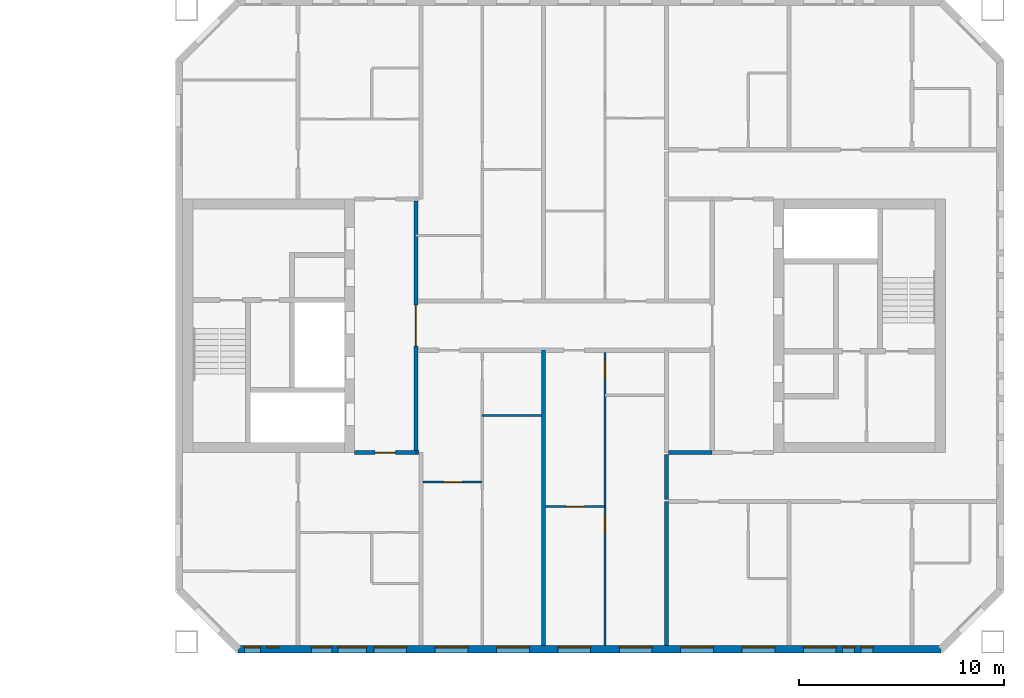
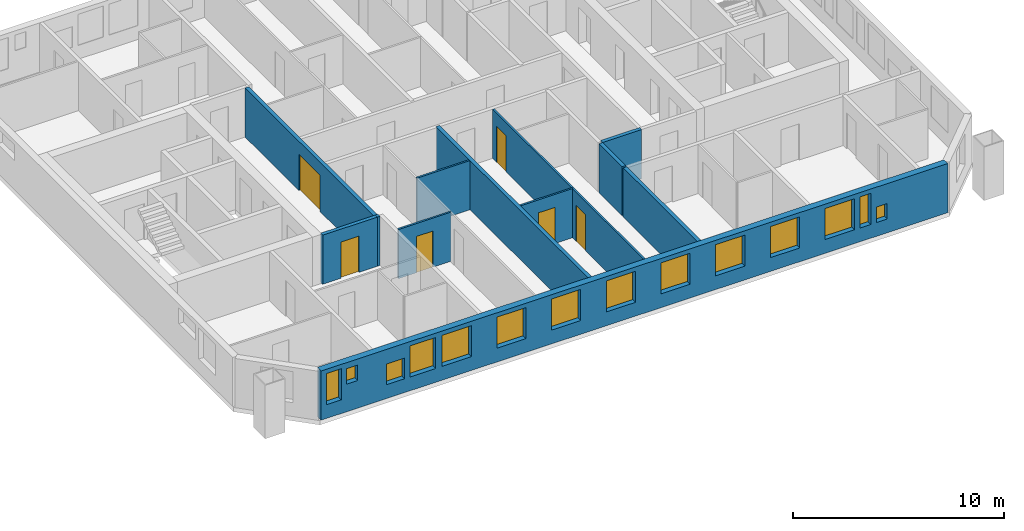
# One storey, part 10 of 16: 14 windows, 12 walls, 6 doors, 20 openings.
"""IFC4 building model written with IfcOpenShell, lengths in metres."""

from ifc_helpers import new_model, si_unit, direction, frame, frame_2d, origin, place, context, subcontext, project, spatial, rectangle, extrude, material, layer, layer_set, type_object, element, fill, save


model = new_model("IFC4")

# Units and contexts
model_context = context("Model", 3, precision=1e-05, world=origin(), true_north=direction((0.0, 1.0)))
body_context = subcontext(model_context, "Body", "Model", "MODEL_VIEW")
ifc_project = project(units=[si_unit("LENGTHUNIT", "METRE"), si_unit("AREAUNIT", "SQUARE_METRE"), si_unit("VOLUMEUNIT", "CUBIC_METRE"), si_unit("PLANEANGLEUNIT", "RADIAN"), si_unit("MASSUNIT", "GRAM", prefix="KILO")], contexts=[model_context])

# Site, building, storey
site_placement = place(None, origin())
site = spatial("IfcSite", under=ifc_project, at=site_placement, CompositionType="ELEMENT")
building_placement = place(site_placement, origin())
building = spatial("IfcBuilding", under=site, at=building_placement, Name="Tuart Gate Housing", CompositionType="ELEMENT")
storey_placement = place(building_placement, frame((0.0, 0.0, 151.60009765625)))
storey = spatial("IfcBuildingStorey", under=building, at=storey_placement, Name="L42", CompositionType="ELEMENT", Elevation=151.60009765625)

# Wall, openings, windows
ifc_material_1 = material(Name="Brick", Category="masonry")
ifc_layer_1 = layer(ifc_material_1, 0.360107421875)
ifc_layer_set_1 = layer_set([ifc_layer_1], Name="Brick pier and spandrel wall 360")
wall_type_1 = type_object("IfcWallType", Name="Brick pier and spandrel wall 360", PredefinedType="STANDARD", material=ifc_layer_set_1)
wall_1_placement = place(storey_placement, frame((134.07470703125, 54.179931640625, 0.0), z_axis=(0.0, 0.0, 1.0), x_axis=(1.0, 0.0, 0.0)))
wall_1 = element("IfcWall", 1, at=wall_1_placement, inside=storey, type_object=wall_type_1, Name="External wall B-S L42", PredefinedType="STANDARD", context=body_context, shape_type="SweptSolid", body=[
    extrude(rectangle(XDim=34.350830078125, YDim=0.360107421875, at=frame_2d((17.17529296875, 0.0))), origin(), (0.0, 0.0, 1.0), 2.849853515625),
])
opening_1_placement = place(wall_1_placement, frame((0.300048828125, 0.0, 0.800048828125)))
opening_1 = element("IfcOpeningElement", 2, at=opening_1_placement, cuts=wall_1, Name="Opening W1D", PredefinedType="OPENING", context=body_context, shape_type="SweptSolid", body=[
    extrude(rectangle(XDim=0.800048828125, YDim=1.800048828125, at=frame_2d((0.39990234375, 0.89990234375))), frame((0.0, 0.18994140625, 0.0), z_axis=(0.0, -1.0, 0.0), x_axis=(1.0, 0.0, 0.0)), (0.0, 0.0, 1.0), 0.380126953125),
])
opening_2_placement = place(wall_1_placement, frame((3.575439453125, 0.0, 0.800048828125)))
opening_2 = element("IfcOpeningElement", 3, at=opening_2_placement, cuts=wall_1, Name="Opening W1O", PredefinedType="OPENING", context=body_context, shape_type="SweptSolid", body=[
    extrude(rectangle(XDim=1.0, YDim=1.199951171875, at=frame_2d((0.5, 0.60009765625))), frame((0.0, 0.18994140625, 0.0), z_axis=(0.0, -1.0, 0.0), x_axis=(1.0, 0.0, 0.0)), (0.0, 0.0, 1.0), 0.380126953125),
])
opening_3_placement = place(wall_1_placement, frame((6.62548828125, 0.0, 0.800048828125)))
opening_3 = element("IfcOpeningElement", 4, at=opening_3_placement, cuts=wall_1, Name="Opening W1", PredefinedType="OPENING", context=body_context, shape_type="SweptSolid", body=[
    extrude(rectangle(XDim=1.60009765625, YDim=1.800048828125, at=frame_2d((0.800048828125, 0.89990234375))), frame((0.0, 0.18994140625, 0.0), z_axis=(0.0, -1.0, 0.0), x_axis=(1.0, 0.0, 0.0)), (0.0, 0.0, 1.0), 0.380126953125),
])
opening_4_placement = place(wall_1_placement, frame((9.62548828125, 0.0, 0.800048828125)))
opening_4 = element("IfcOpeningElement", 5, at=opening_4_placement, cuts=wall_1, Name="Opening W1", PredefinedType="OPENING", context=body_context, shape_type="SweptSolid", body=[
    extrude(rectangle(XDim=1.60009765625, YDim=1.800048828125, at=frame_2d((0.800048828125, 0.89990234375))), frame((0.0, 0.18994140625, 0.0), z_axis=(0.0, -1.0, 0.0), x_axis=(1.0, 0.0, 0.0)), (0.0, 0.0, 1.0), 0.380126953125),
])
opening_5_placement = place(wall_1_placement, frame((12.62548828125, 0.0, 0.800048828125)))
opening_5 = element("IfcOpeningElement", 6, at=opening_5_placement, cuts=wall_1, Name="Opening W1", PredefinedType="OPENING", context=body_context, shape_type="SweptSolid", body=[
    extrude(rectangle(XDim=1.60009765625, YDim=1.800048828125, at=frame_2d((0.800048828125, 0.89990234375))), frame((0.0, 0.18994140625, 0.0), z_axis=(0.0, -1.0, 0.0), x_axis=(1.0, 0.0, 0.0)), (0.0, 0.0, 1.0), 0.380126953125),
])
opening_6_placement = place(wall_1_placement, frame((15.62548828125, 0.0, 0.800048828125)))
opening_6 = element("IfcOpeningElement", 7, at=opening_6_placement, cuts=wall_1, Name="Opening W1", PredefinedType="OPENING", context=body_context, shape_type="SweptSolid", body=[
    extrude(rectangle(XDim=1.60009765625, YDim=1.800048828125, at=frame_2d((0.800048828125, 0.89990234375))), frame((0.0, 0.18994140625, 0.0), z_axis=(0.0, -1.0, 0.0), x_axis=(1.0, 0.0, 0.0)), (0.0, 0.0, 1.0), 0.380126953125),
])
opening_7_placement = place(wall_1_placement, frame((18.62548828125, 0.0, 0.800048828125)))
opening_7 = element("IfcOpeningElement", 8, at=opening_7_placement, cuts=wall_1, Name="Opening W1", PredefinedType="OPENING", context=body_context, shape_type="SweptSolid", body=[
    extrude(rectangle(XDim=1.60009765625, YDim=1.800048828125, at=frame_2d((0.800048828125, 0.89990234375))), frame((0.0, 0.18994140625, 0.0), z_axis=(0.0, -1.0, 0.0), x_axis=(1.0, 0.0, 0.0)), (0.0, 0.0, 1.0), 0.380126953125),
])
opening_8_placement = place(wall_1_placement, frame((21.62548828125, 0.0, 0.800048828125)))
opening_8 = element("IfcOpeningElement", 9, at=opening_8_placement, cuts=wall_1, Name="Opening W1", PredefinedType="OPENING", context=body_context, shape_type="SweptSolid", body=[
    extrude(rectangle(XDim=1.60009765625, YDim=1.800048828125, at=frame_2d((0.800048828125, 0.89990234375))), frame((0.0, 0.18994140625, 0.0), z_axis=(0.0, -1.0, 0.0), x_axis=(1.0, 0.0, 0.0)), (0.0, 0.0, 1.0), 0.380126953125),
])
opening_9_placement = place(wall_1_placement, frame((24.62548828125, 0.0, 0.800048828125)))
opening_9 = element("IfcOpeningElement", 10, at=opening_9_placement, cuts=wall_1, Name="Opening W1", PredefinedType="OPENING", context=body_context, shape_type="SweptSolid", body=[
    extrude(rectangle(XDim=1.60009765625, YDim=1.800048828125, at=frame_2d((0.800048828125, 0.89990234375))), frame((0.0, 0.18994140625, 0.0), z_axis=(0.0, -1.0, 0.0), x_axis=(1.0, 0.0, 0.0)), (0.0, 0.0, 1.0), 0.380126953125),
])
opening_10_placement = place(wall_1_placement, frame((27.62548828125, 0.0, 0.800048828125)))
opening_10 = element("IfcOpeningElement", 11, at=opening_10_placement, cuts=wall_1, Name="Opening W1", PredefinedType="OPENING", context=body_context, shape_type="SweptSolid", body=[
    extrude(rectangle(XDim=1.60009765625, YDim=1.800048828125, at=frame_2d((0.800048828125, 0.89990234375))), frame((0.0, 0.18994140625, 0.0), z_axis=(0.0, -1.0, 0.0), x_axis=(1.0, 0.0, 0.0)), (0.0, 0.0, 1.0), 0.380126953125),
])
opening_11_placement = place(wall_1_placement, frame((29.525390625, 0.0, 0.800048828125)))
opening_11 = element("IfcOpeningElement", 12, at=opening_11_placement, cuts=wall_1, Name="Opening W1E", PredefinedType="OPENING", context=body_context, shape_type="SweptSolid", body=[
    extrude(rectangle(XDim=0.60009765625, YDim=1.800048828125, at=frame_2d((0.300048828125, 0.89990234375))), frame((0.0, 0.18994140625, 0.0), z_axis=(0.0, -1.0, 0.0), x_axis=(1.0, 0.0, 0.0)), (0.0, 0.0, 1.0), 0.380126953125),
])
opening_12_placement = place(wall_1_placement, frame((1.39990234375, 0.0, 1.60009765625)))
opening_12 = element("IfcOpeningElement", 13, at=opening_12_placement, cuts=wall_1, Name="Opening W1W", PredefinedType="OPENING", context=body_context, shape_type="SweptSolid", body=[
    extrude(rectangle(XDim=0.60009765625, YDim=0.89990234375, at=frame_2d((0.300048828125, 0.449951171875))), frame((0.0, 0.18994140625, 0.0), z_axis=(0.0, -1.0, 0.0), x_axis=(1.0, 0.0, 0.0)), (0.0, 0.0, 1.0), 0.380126953125),
])
opening_13_placement = place(wall_1_placement, frame((4.87548828125, 0.0, 0.800048828125)))
opening_13 = element("IfcOpeningElement", 14, at=opening_13_placement, cuts=wall_1, Name="Opening W1A", PredefinedType="OPENING", context=body_context, shape_type="SweptSolid", body=[
    extrude(rectangle(XDim=1.39990234375, YDim=1.800048828125, at=frame_2d((0.699951171875, 0.89990234375))), frame((0.0, 0.18994140625, 0.0), z_axis=(0.0, -1.0, 0.0), x_axis=(1.0, 0.0, 0.0)), (0.0, 0.0, 1.0), 0.380126953125),
])
opening_14_placement = place(wall_1_placement, frame((30.42529296875, 0.0, 0.800048828125)))
opening_14 = element("IfcOpeningElement", 15, at=opening_14_placement, cuts=wall_1, Name="Opening W1W", PredefinedType="OPENING", context=body_context, shape_type="SweptSolid", body=[
    extrude(rectangle(XDim=0.60009765625, YDim=0.89990234375, at=frame_2d((0.300048828125, 0.449951171875))), frame((0.0, 0.18994140625, 0.0), z_axis=(0.0, -1.0, 0.0), x_axis=(1.0, 0.0, 0.0)), (0.0, 0.0, 1.0), 0.380126953125),
])
ifc_material_2 = material(Name="Aluminium frame with clear glass", Category="aluminium")
window_type_1 = type_object("IfcWindowType", Name="Punched window 1000 x 1200", PartitioningType="SINGLE_PANEL", PredefinedType="WINDOW", material=ifc_material_2)
window_1_placement = place(opening_2_placement, origin())
window_1 = element("IfcWindow", 16, at=window_1_placement, inside=storey, type_object=window_type_1, Name="Window W1O", OverallHeight=1.199951171875, OverallWidth=1.0, PartitioningType="SINGLE_PANEL", PredefinedType="WINDOW", context=body_context, shape_type="SweptSolid", body=[
    extrude(rectangle(XDim=1.0, YDim=1.199951171875, at=frame_2d((0.5, 0.60009765625))), frame((0.0, 0.150146484375, 0.0), z_axis=(0.0, -1.0, 0.0), x_axis=(1.0, 0.0, 0.0)), (0.0, 0.0, 1.0), 0.06005859375),
])
fill(opening_2, window_1)
ifc_material_3 = material(Name="Aluminium frame with clear glass", Category="aluminium")
window_type_2 = type_object("IfcWindowType", Name="Punched window 1400 x 1800", PartitioningType="SINGLE_PANEL", PredefinedType="WINDOW", material=ifc_material_3)
window_2_placement = place(opening_13_placement, origin())
window_2 = element("IfcWindow", 17, at=window_2_placement, inside=storey, type_object=window_type_2, Name="Window W1A", OverallHeight=1.800048828125, OverallWidth=1.39990234375, PartitioningType="SINGLE_PANEL", PredefinedType="WINDOW", context=body_context, shape_type="SweptSolid", body=[
    extrude(rectangle(XDim=1.39990234375, YDim=1.800048828125, at=frame_2d((0.699951171875, 0.89990234375))), frame((0.0, 0.150146484375, 0.0), z_axis=(0.0, -1.0, 0.0), x_axis=(1.0, 0.0, 0.0)), (0.0, 0.0, 1.0), 0.06005859375),
])
fill(opening_13, window_2)
ifc_material_4 = material(Name="Aluminium frame with clear glass", Category="aluminium")
window_type_3 = type_object("IfcWindowType", Name="Punched window 1600 x 1800", PartitioningType="SINGLE_PANEL", PredefinedType="WINDOW", material=ifc_material_4)
window_3_placement = place(opening_3_placement, origin())
window_3 = element("IfcWindow", 18, at=window_3_placement, inside=storey, type_object=window_type_3, Name="Window W1", OverallHeight=1.800048828125, OverallWidth=1.60009765625, PartitioningType="SINGLE_PANEL", PredefinedType="WINDOW", context=body_context, shape_type="SweptSolid", body=[
    extrude(rectangle(XDim=1.60009765625, YDim=1.800048828125, at=frame_2d((0.800048828125, 0.89990234375))), frame((0.0, 0.150146484375, 0.0), z_axis=(0.0, -1.0, 0.0), x_axis=(1.0, 0.0, 0.0)), (0.0, 0.0, 1.0), 0.06005859375),
])
fill(opening_3, window_3)
window_4_placement = place(opening_4_placement, origin())
window_4 = element("IfcWindow", 19, at=window_4_placement, inside=storey, type_object=window_type_3, Name="Window W1", OverallHeight=1.800048828125, OverallWidth=1.60009765625, PartitioningType="SINGLE_PANEL", PredefinedType="WINDOW", context=body_context, shape_type="SweptSolid", body=[
    extrude(rectangle(XDim=1.60009765625, YDim=1.800048828125, at=frame_2d((0.800048828125, 0.89990234375))), frame((0.0, 0.150146484375, 0.0), z_axis=(0.0, -1.0, 0.0), x_axis=(1.0, 0.0, 0.0)), (0.0, 0.0, 1.0), 0.06005859375),
])
fill(opening_4, window_4)
window_5_placement = place(opening_5_placement, origin())
window_5 = element("IfcWindow", 20, at=window_5_placement, inside=storey, type_object=window_type_3, Name="Window W1", OverallHeight=1.800048828125, OverallWidth=1.60009765625, PartitioningType="SINGLE_PANEL", PredefinedType="WINDOW", context=body_context, shape_type="SweptSolid", body=[
    extrude(rectangle(XDim=1.60009765625, YDim=1.800048828125, at=frame_2d((0.800048828125, 0.89990234375))), frame((0.0, 0.150146484375, 0.0), z_axis=(0.0, -1.0, 0.0), x_axis=(1.0, 0.0, 0.0)), (0.0, 0.0, 1.0), 0.06005859375),
])
fill(opening_5, window_5)
window_6_placement = place(opening_6_placement, origin())
window_6 = element("IfcWindow", 21, at=window_6_placement, inside=storey, type_object=window_type_3, Name="Window W1", OverallHeight=1.800048828125, OverallWidth=1.60009765625, PartitioningType="SINGLE_PANEL", PredefinedType="WINDOW", context=body_context, shape_type="SweptSolid", body=[
    extrude(rectangle(XDim=1.60009765625, YDim=1.800048828125, at=frame_2d((0.800048828125, 0.89990234375))), frame((0.0, 0.150146484375, 0.0), z_axis=(0.0, -1.0, 0.0), x_axis=(1.0, 0.0, 0.0)), (0.0, 0.0, 1.0), 0.06005859375),
])
fill(opening_6, window_6)
window_7_placement = place(opening_7_placement, origin())
window_7 = element("IfcWindow", 22, at=window_7_placement, inside=storey, type_object=window_type_3, Name="Window W1", OverallHeight=1.800048828125, OverallWidth=1.60009765625, PartitioningType="SINGLE_PANEL", PredefinedType="WINDOW", context=body_context, shape_type="SweptSolid", body=[
    extrude(rectangle(XDim=1.60009765625, YDim=1.800048828125, at=frame_2d((0.800048828125, 0.89990234375))), frame((0.0, 0.150146484375, 0.0), z_axis=(0.0, -1.0, 0.0), x_axis=(1.0, 0.0, 0.0)), (0.0, 0.0, 1.0), 0.06005859375),
])
fill(opening_7, window_7)
window_8_placement = place(opening_8_placement, origin())
window_8 = element("IfcWindow", 23, at=window_8_placement, inside=storey, type_object=window_type_3, Name="Window W1", OverallHeight=1.800048828125, OverallWidth=1.60009765625, PartitioningType="SINGLE_PANEL", PredefinedType="WINDOW", context=body_context, shape_type="SweptSolid", body=[
    extrude(rectangle(XDim=1.60009765625, YDim=1.800048828125, at=frame_2d((0.800048828125, 0.89990234375))), frame((0.0, 0.150146484375, 0.0), z_axis=(0.0, -1.0, 0.0), x_axis=(1.0, 0.0, 0.0)), (0.0, 0.0, 1.0), 0.06005859375),
])
fill(opening_8, window_8)
window_9_placement = place(opening_9_placement, origin())
window_9 = element("IfcWindow", 24, at=window_9_placement, inside=storey, type_object=window_type_3, Name="Window W1", OverallHeight=1.800048828125, OverallWidth=1.60009765625, PartitioningType="SINGLE_PANEL", PredefinedType="WINDOW", context=body_context, shape_type="SweptSolid", body=[
    extrude(rectangle(XDim=1.60009765625, YDim=1.800048828125, at=frame_2d((0.800048828125, 0.89990234375))), frame((0.0, 0.150146484375, 0.0), z_axis=(0.0, -1.0, 0.0), x_axis=(1.0, 0.0, 0.0)), (0.0, 0.0, 1.0), 0.06005859375),
])
fill(opening_9, window_9)
window_10_placement = place(opening_10_placement, origin())
window_10 = element("IfcWindow", 25, at=window_10_placement, inside=storey, type_object=window_type_3, Name="Window W1", OverallHeight=1.800048828125, OverallWidth=1.60009765625, PartitioningType="SINGLE_PANEL", PredefinedType="WINDOW", context=body_context, shape_type="SweptSolid", body=[
    extrude(rectangle(XDim=1.60009765625, YDim=1.800048828125, at=frame_2d((0.800048828125, 0.89990234375))), frame((0.0, 0.150146484375, 0.0), z_axis=(0.0, -1.0, 0.0), x_axis=(1.0, 0.0, 0.0)), (0.0, 0.0, 1.0), 0.06005859375),
])
fill(opening_10, window_10)
ifc_material_5 = material(Name="Aluminium frame with clear glass", Category="aluminium")
window_type_4 = type_object("IfcWindowType", Name="Punched window 600 x 1800", PartitioningType="SINGLE_PANEL", PredefinedType="WINDOW", material=ifc_material_5)
window_11_placement = place(opening_11_placement, origin())
window_11 = element("IfcWindow", 26, at=window_11_placement, inside=storey, type_object=window_type_4, Name="Window W1E", OverallHeight=1.800048828125, OverallWidth=0.60009765625, PartitioningType="SINGLE_PANEL", PredefinedType="WINDOW", context=body_context, shape_type="SweptSolid", body=[
    extrude(rectangle(XDim=0.60009765625, YDim=1.800048828125, at=frame_2d((0.300048828125, 0.89990234375))), frame((0.0, 0.150146484375, 0.0), z_axis=(0.0, -1.0, 0.0), x_axis=(1.0, 0.0, 0.0)), (0.0, 0.0, 1.0), 0.06005859375),
])
fill(opening_11, window_11)
ifc_material_6 = material(Name="Aluminium frame with clear glass", Category="aluminium")
window_type_5 = type_object("IfcWindowType", Name="Punched window 600 x 900", PartitioningType="SINGLE_PANEL", PredefinedType="WINDOW", material=ifc_material_6)
window_12_placement = place(opening_12_placement, origin())
window_12 = element("IfcWindow", 27, at=window_12_placement, inside=storey, type_object=window_type_5, Name="Window W1W", OverallHeight=0.89990234375, OverallWidth=0.60009765625, PartitioningType="SINGLE_PANEL", PredefinedType="WINDOW", context=body_context, shape_type="SweptSolid", body=[
    extrude(rectangle(XDim=0.60009765625, YDim=0.89990234375, at=frame_2d((0.300048828125, 0.449951171875))), frame((0.0, 0.150146484375, 0.0), z_axis=(0.0, -1.0, 0.0), x_axis=(1.0, 0.0, 0.0)), (0.0, 0.0, 1.0), 0.06005859375),
])
fill(opening_12, window_12)
window_13_placement = place(opening_14_placement, origin())
window_13 = element("IfcWindow", 28, at=window_13_placement, inside=storey, type_object=window_type_5, Name="Window W1W", OverallHeight=0.89990234375, OverallWidth=0.60009765625, PartitioningType="SINGLE_PANEL", PredefinedType="WINDOW", context=body_context, shape_type="SweptSolid", body=[
    extrude(rectangle(XDim=0.60009765625, YDim=0.89990234375, at=frame_2d((0.300048828125, 0.449951171875))), frame((0.0, 0.150146484375, 0.0), z_axis=(0.0, -1.0, 0.0), x_axis=(1.0, 0.0, 0.0)), (0.0, 0.0, 1.0), 0.06005859375),
])
fill(opening_14, window_13)
ifc_material_7 = material(Name="Aluminium frame with clear glass", Category="aluminium")
window_type_6 = type_object("IfcWindowType", Name="Punched window 800 x 1800", PartitioningType="SINGLE_PANEL", PredefinedType="WINDOW", material=ifc_material_7)
window_14_placement = place(opening_1_placement, origin())
window_14 = element("IfcWindow", 29, at=window_14_placement, inside=storey, type_object=window_type_6, Name="Window W1D", OverallHeight=1.800048828125, OverallWidth=0.800048828125, PartitioningType="SINGLE_PANEL", PredefinedType="WINDOW", context=body_context, shape_type="SweptSolid", body=[
    extrude(rectangle(XDim=0.800048828125, YDim=1.800048828125, at=frame_2d((0.39990234375, 0.89990234375))), frame((0.0, 0.150146484375, 0.0), z_axis=(0.0, -1.0, 0.0), x_axis=(1.0, 0.0, 0.0)), (0.0, 0.0, 1.0), 0.06005859375),
])
fill(opening_1, window_14)

# Walls
ifc_material_8 = material(Name="Concrete masonry 15 MPa", Category="masonry")
ifc_layer_2 = layer(ifc_material_8, 0.199951171875)
ifc_layer_set_2 = layer_set([ifc_layer_2], Name="Corridor wall masonry 200")
wall_type_2 = type_object("IfcWallType", Name="Corridor wall masonry 200", PredefinedType="PARTITIONING", material=ifc_layer_set_2)
wall_2_placement = place(storey_placement, frame((155.10009765625, 63.800048828125, 0.0), z_axis=(0.0, 0.0, 1.0), x_axis=(1.0, 0.0, 0.0)))
element("IfcWall", 30, at=wall_2_placement, inside=storey, type_object=wall_type_2, Name="Corridor wall masonry 200", PredefinedType="PARTITIONING", context=body_context, shape_type="SweptSolid", body=[
    extrude(rectangle(XDim=2.139892578125, YDim=0.199951171875, at=frame_2d((1.06982421875, 0.0))), origin(), (0.0, 0.0, 1.0), 2.849853515625),
])
wall_3_placement = place(storey_placement, frame((155.0, 61.5, 0.0), z_axis=(0.0, 0.0, 1.0), x_axis=(0.0, 1.0, 0.0)))
element("IfcWall", 31, at=wall_3_placement, inside=storey, type_object=wall_type_2, Name="Corridor wall masonry 200", PredefinedType="PARTITIONING", context=body_context, shape_type="SweptSolid", body=[
    extrude(rectangle(XDim=2.199951171875, YDim=0.199951171875, at=frame_2d((1.10009765625, 0.0))), origin(), (0.0, 0.0, 1.0), 2.849853515625),
])

# Wall, opening, door
ifc_material_9 = material(Name="Concrete masonry 15 MPa", Category="masonry")
ifc_layer_3 = layer(ifc_material_9, 0.199951171875)
ifc_layer_set_3 = layer_set([ifc_layer_3], Name="Enclosure wall masonry 200")
wall_type_3 = type_object("IfcWallType", Name="Enclosure wall masonry 200", PredefinedType="PARTITIONING", material=ifc_layer_set_3)
wall_4_placement = place(storey_placement, frame((139.760009765625, 63.800048828125, 0.0), z_axis=(0.0, 0.0, 1.0), x_axis=(1.0, 0.0, 0.0)))
wall_4 = element("IfcWall", 32, at=wall_4_placement, inside=storey, type_object=wall_type_3, Name="Enclosure wall masonry 200", PredefinedType="PARTITIONING", context=body_context, shape_type="SweptSolid", body=[
    extrude(rectangle(XDim=3.0, YDim=0.199951171875, at=frame_2d((1.5, 0.0))), origin(), (0.0, 0.0, 1.0), 2.849853515625),
])
opening_15_placement = place(wall_4_placement, frame((1.0, 0.0, 0.0)))
opening_15 = element("IfcOpeningElement", 33, at=opening_15_placement, cuts=wall_4, Name="Opening D1606", PredefinedType="OPENING", context=body_context, shape_type="SweptSolid", body=[
    extrude(rectangle(XDim=1.0, YDim=2.10009765625, at=frame_2d((0.5, 1.050048828125))), frame((0.0, 0.10986328125, 0.0), z_axis=(0.0, -1.0, 0.0), x_axis=(1.0, 0.0, 0.0)), (0.0, 0.0, 1.0), 0.219970703125),
])
ifc_material_10 = material(Name="Timber door leaf in steel frame", Category="steel")
door_type_1 = type_object("IfcDoorType", Name="Flat entrance door 1000", OperationType="SINGLE_SWING_LEFT", PredefinedType="DOOR", material=ifc_material_10)
door_1_placement = place(opening_15_placement, frame((1.0, 0.0, 0.0), z_axis=(0.0, 0.0, 1.0), x_axis=(-1.0, 0.0, 0.0)))
door_1 = element("IfcDoor", 34, at=door_1_placement, inside=storey, type_object=door_type_1, Name="Flat entrance door", OperationType="SINGLE_SWING_LEFT", OverallHeight=2.10009765625, OverallWidth=1.0, PredefinedType="DOOR", context=body_context, shape_type="SweptSolid", body=[
    extrude(rectangle(XDim=1.0, YDim=2.10009765625, at=frame_2d((0.5, 1.050048828125))), frame((0.0, 0.025146484375, 0.0), z_axis=(0.0, -1.0, 0.0), x_axis=(1.0, 0.0, 0.0)), (0.0, 0.0, 1.0), 0.050048828125),
])
fill(opening_15, door_1)

ifc_material_11 = material(Name="Plasterboard partition")
ifc_layer_4 = layer(ifc_material_11, 0.199951171875)
ifc_layer_set_4 = layer_set([ifc_layer_4], Name="Lobby wall 200")
wall_type_4 = type_object("IfcWallType", Name="Lobby wall 200", PredefinedType="PARTITIONING", material=ifc_layer_set_4)
wall_5_placement = place(storey_placement, frame((142.760009765625, 63.89990234375, 0.0), z_axis=(0.0, 0.0, 1.0), x_axis=(0.0, 1.0, 0.0)))
wall_5 = element("IfcWall", 35, at=wall_5_placement, inside=storey, type_object=wall_type_4, Name="Lift lobby wall BG", PredefinedType="PARTITIONING", context=body_context, shape_type="SweptSolid", body=[
    extrude(rectangle(XDim=12.2001953125, YDim=0.199951171875, at=frame_2d((6.10009765625, 0.0))), origin(), (0.0, 0.0, 1.0), 2.849853515625),
])
opening_16_placement = place(wall_5_placement, frame((5.10009765625, 0.0, 0.0)))
opening_16 = element("IfcOpeningElement", 36, at=opening_16_placement, cuts=wall_5, Name="Opening D1596", PredefinedType="OPENING", context=body_context, shape_type="SweptSolid", body=[
    extrude(rectangle(XDim=2.0, YDim=2.10009765625, at=frame_2d((1.0, 1.050048828125))), frame((0.0, 0.10986328125, 0.0), z_axis=(0.0, -1.0, 0.0), x_axis=(1.0, 0.0, 0.0)), (0.0, 0.0, 1.0), 0.219970703125),
])
ifc_material_12 = material(Name="Steel fire door", Category="steel")
door_type_2 = type_object("IfcDoorType", Name="Smoke door 2000 x 2100", OperationType="DOUBLE_DOOR_SINGLE_SWING", PredefinedType="DOOR", material=ifc_material_12)
door_2_placement = place(opening_16_placement, origin())
door_2 = element("IfcDoor", 37, at=door_2_placement, inside=storey, type_object=door_type_2, Name="Lift lobby smoke door BG", OperationType="DOUBLE_DOOR_SINGLE_SWING", OverallHeight=2.10009765625, OverallWidth=2.0, PredefinedType="DOOR", context=body_context, shape_type="SweptSolid", body=[
    extrude(rectangle(XDim=2.0, YDim=2.10009765625, at=frame_2d((1.0, 1.050048828125))), frame((0.0, 0.02490234375, 0.0), z_axis=(0.0, -1.0, 0.0), x_axis=(1.0, 0.0, 0.0)), (0.0, 0.0, 1.0), 0.050048828125),
])
fill(opening_16, door_2)

ifc_material_13 = material(Name="Gypsum board on steel studs", Category="steel")
ifc_layer_5 = layer(ifc_material_13, 0.10009765625)
ifc_layer_set_5 = layer_set([ifc_layer_5], Name="Partition 100")
wall_type_5 = type_object("IfcWallType", Name="Partition 100", PredefinedType="PARTITIONING", material=ifc_layer_set_5)
wall_6_placement = place(storey_placement, frame((149.10009765625, 61.159912109375, 0.0), z_axis=(0.0, 0.0, 1.0), x_axis=(1.0, 0.0, 0.0)))
wall_6 = element("IfcWall", 38, at=wall_6_placement, inside=storey, type_object=wall_type_5, Name="Partition 100", PredefinedType="PARTITIONING", context=body_context, shape_type="SweptSolid", body=[
    extrude(rectangle(XDim=2.89990234375, YDim=0.10009765625, at=frame_2d((1.449951171875, 0.0))), origin(), (0.0, 0.0, 1.0), 2.849853515625),
])
opening_17_placement = place(wall_6_placement, frame((1.0, 0.0, 0.0)))
opening_17 = element("IfcOpeningElement", 39, at=opening_17_placement, cuts=wall_6, Name="Opening D1615", PredefinedType="OPENING", context=body_context, shape_type="SweptSolid", body=[
    extrude(rectangle(XDim=0.89990234375, YDim=2.10009765625, at=frame_2d((0.449951171875, 1.050048828125))), frame((0.0, 0.06005859375, 0.0), z_axis=(0.0, -1.0, 0.0), x_axis=(1.0, 0.0, 0.0)), (0.0, 0.0, 1.0), 0.1201171875),
])
ifc_material_14 = material(Name="Timber door leaf in steel frame", Category="steel")
door_type_3 = type_object("IfcDoorType", Name="Internal door 900 RH", OperationType="SINGLE_SWING_RIGHT", PredefinedType="DOOR", material=ifc_material_14)
door_3_placement = place(opening_17_placement, origin())
door_3 = element("IfcDoor", 40, at=door_3_placement, inside=storey, type_object=door_type_3, Name="Internal door", OperationType="SINGLE_SWING_RIGHT", OverallHeight=2.10009765625, OverallWidth=0.89990234375, PredefinedType="DOOR", context=body_context, shape_type="SweptSolid", body=[
    extrude(rectangle(XDim=0.89990234375, YDim=2.10009765625, at=frame_2d((0.449951171875, 1.050048828125))), frame((0.0, 0.02490234375, 0.0), z_axis=(0.0, -1.0, 0.0), x_axis=(1.0, 0.0, 0.0)), (0.0, 0.0, 1.0), 0.050048828125),
])
fill(opening_17, door_3)

wall_7_placement = place(storey_placement, frame((143.10009765625, 62.360107421875, 0.0), z_axis=(0.0, 0.0, 1.0), x_axis=(1.0, 0.0, 0.0)))
wall_7 = element("IfcWall", 41, at=wall_7_placement, inside=storey, type_object=wall_type_5, Name="Partition 100", PredefinedType="PARTITIONING", context=body_context, shape_type="SweptSolid", body=[
    extrude(rectangle(XDim=2.89990234375, YDim=0.10009765625, at=frame_2d((1.449951171875, 0.0))), origin(), (0.0, 0.0, 1.0), 2.849853515625),
])
opening_18_placement = place(wall_7_placement, frame((1.0, 0.0, 0.0)))
opening_18 = element("IfcOpeningElement", 42, at=opening_18_placement, cuts=wall_7, Name="Opening D1608", PredefinedType="OPENING", context=body_context, shape_type="SweptSolid", body=[
    extrude(rectangle(XDim=0.89990234375, YDim=2.10009765625, at=frame_2d((0.449951171875, 1.050048828125))), frame((0.0, 0.06005859375, 0.0), z_axis=(0.0, -1.0, 0.0), x_axis=(1.0, 0.0, 0.0)), (0.0, 0.0, 1.0), 0.1201171875),
])
door_4_placement = place(opening_18_placement, origin())
door_4 = element("IfcDoor", 43, at=door_4_placement, inside=storey, type_object=door_type_3, Name="Internal door", OperationType="SINGLE_SWING_RIGHT", OverallHeight=2.10009765625, OverallWidth=0.89990234375, PredefinedType="DOOR", context=body_context, shape_type="SweptSolid", body=[
    extrude(rectangle(XDim=0.89990234375, YDim=2.10009765625, at=frame_2d((0.449951171875, 1.050048828125))), frame((0.0, 0.02490234375, 0.0), z_axis=(0.0, -1.0, 0.0), x_axis=(1.0, 0.0, 0.0)), (0.0, 0.0, 1.0), 0.050048828125),
])
fill(opening_18, door_4)

# Wall
wall_8_placement = place(storey_placement, frame((146.0, 65.60009765625, 0.0), z_axis=(0.0, 0.0, 1.0), x_axis=(1.0, 0.0, 0.0)))
element("IfcWall", 44, at=wall_8_placement, inside=storey, type_object=wall_type_5, Name="Partition 100", PredefinedType="PARTITIONING", context=body_context, shape_type="SweptSolid", body=[
    extrude(rectangle(XDim=2.89990234375, YDim=0.10009765625, at=frame_2d((1.449951171875, 0.0))), origin(), (0.0, 0.0, 1.0), 2.849853515625),
])

# Wall, openings, doors
wall_9_placement = place(storey_placement, frame((152.0, 54.360107421875, 0.0), z_axis=(0.0, 0.0, 1.0), x_axis=(0.0, 1.0, 0.0)))
wall_9 = element("IfcWall", 45, at=wall_9_placement, inside=storey, type_object=wall_type_5, Name="Partition 100", PredefinedType="PARTITIONING", context=body_context, shape_type="SweptSolid", body=[
    extrude(rectangle(XDim=14.33984375, YDim=0.10009765625, at=frame_2d((7.169921875, 0.0))), origin(), (0.0, 0.0, 1.0), 2.849853515625),
])
opening_19_placement = place(wall_9_placement, frame((5.5, 0.0, 0.0)))
opening_19 = element("IfcOpeningElement", 46, at=opening_19_placement, cuts=wall_9, Name="Opening D1612", PredefinedType="OPENING", context=body_context, shape_type="SweptSolid", body=[
    extrude(rectangle(XDim=0.89990234375, YDim=2.10009765625, at=frame_2d((0.449951171875, 1.050048828125))), frame((0.0, 0.06005859375, 0.0), z_axis=(0.0, -1.0, 0.0), x_axis=(1.0, 0.0, 0.0)), (0.0, 0.0, 1.0), 0.1201171875),
])
opening_20_placement = place(wall_9_placement, frame((13.0400390625, 0.0, 0.0)))
opening_20 = element("IfcOpeningElement", 47, at=opening_20_placement, cuts=wall_9, Name="Opening D1611", PredefinedType="OPENING", context=body_context, shape_type="SweptSolid", body=[
    extrude(rectangle(XDim=0.89990234375, YDim=2.10009765625, at=frame_2d((0.449951171875, 1.050048828125))), frame((0.0, 0.06005859375, 0.0), z_axis=(0.0, -1.0, 0.0), x_axis=(1.0, 0.0, 0.0)), (0.0, 0.0, 1.0), 0.1201171875),
])
ifc_material_15 = material(Name="Timber door leaf in steel frame", Category="steel")
door_type_4 = type_object("IfcDoorType", Name="Bathroom door 900", OperationType="SINGLE_SWING_LEFT", PredefinedType="DOOR", material=ifc_material_15)
door_5_placement = place(opening_20_placement, frame((0.89990234375, 0.0, 0.0), z_axis=(0.0, 0.0, 1.0), x_axis=(-1.0, 0.0, 0.0)))
door_5 = element("IfcDoor", 48, at=door_5_placement, inside=storey, type_object=door_type_4, Name="Bathroom door", OperationType="SINGLE_SWING_LEFT", OverallHeight=2.10009765625, OverallWidth=0.89990234375, PredefinedType="DOOR", context=body_context, shape_type="SweptSolid", body=[
    extrude(rectangle(XDim=0.89990234375, YDim=2.10009765625, at=frame_2d((0.449951171875, 1.050048828125))), frame((0.0, 0.025146484375, 0.0), z_axis=(0.0, -1.0, 0.0), x_axis=(1.0, 0.0, 0.0)), (0.0, 0.0, 1.0), 0.050048828125),
])
fill(opening_20, door_5)
door_6_placement = place(opening_19_placement, frame((0.89990234375, 0.0, 0.0), z_axis=(0.0, 0.0, 1.0), x_axis=(-1.0, 0.0, 0.0)))
door_6 = element("IfcDoor", 49, at=door_6_placement, inside=storey, type_object=door_type_3, Name="Internal door", OperationType="SINGLE_SWING_RIGHT", OverallHeight=2.10009765625, OverallWidth=0.89990234375, PredefinedType="DOOR", context=body_context, shape_type="SweptSolid", body=[
    extrude(rectangle(XDim=0.89990234375, YDim=2.10009765625, at=frame_2d((0.449951171875, 1.050048828125))), frame((0.0, 0.025146484375, 0.0), z_axis=(0.0, -1.0, 0.0), x_axis=(1.0, 0.0, 0.0)), (0.0, 0.0, 1.0), 0.050048828125),
])
fill(opening_19, door_6)

# Walls
ifc_material_16 = material(Name="Concrete C40", Category="concrete")
ifc_layer_6 = layer(ifc_material_16, 0.199951171875)
ifc_layer_set_6 = layer_set([ifc_layer_6], Name="Party wall concrete C40 200")
wall_type_6 = type_object("IfcWallType", Name="Party wall concrete C40 200", PredefinedType="SOLIDWALL", material=ifc_layer_set_6)
wall_10_placement = place(storey_placement, frame((149.0, 54.360107421875, 0.0), z_axis=(0.0, 0.0, 1.0), x_axis=(0.0, 1.0, 0.0)))
element("IfcWall", 50, at=wall_10_placement, inside=storey, type_object=wall_type_6, Name="Party wall concrete C40 200", PredefinedType="SOLIDWALL", context=body_context, shape_type="SweptSolid", body=[
    extrude(rectangle(XDim=14.43994140625, YDim=0.199951171875, at=frame_2d((7.219970703125, 0.0))), origin(), (0.0, 0.0, 1.0), 2.849853515625),
])
wall_11_placement = place(storey_placement, frame((155.0, 54.360107421875, 0.0), z_axis=(0.0, 0.0, 1.0), x_axis=(0.0, 1.0, 0.0)))
element("IfcWall", 51, at=wall_11_placement, inside=storey, type_object=wall_type_6, Name="Party wall concrete C40 200", PredefinedType="SOLIDWALL", context=body_context, shape_type="SweptSolid", body=[
    extrude(rectangle(XDim=7.039794921875, YDim=0.199951171875, at=frame_2d((3.52001953125, 0.0))), origin(), (0.0, 0.0, 1.0), 2.849853515625),
])
ifc_material_17 = material(Name="Concrete masonry 15 MPa", Category="masonry")
ifc_layer_7 = layer(ifc_material_17, 0.199951171875)
ifc_layer_set_7 = layer_set([ifc_layer_7], Name="Party wall masonry 200")
wall_type_7 = type_object("IfcWallType", Name="Party wall masonry 200", PredefinedType="PARTITIONING", material=ifc_layer_set_7)
wall_12_placement = place(storey_placement, frame((142.760009765625, 63.800048828125, 0.0), z_axis=(0.0, 0.0, 1.0), x_axis=(1.0, 0.0, 0.0)))
element("IfcWall", 52, at=wall_12_placement, inside=storey, type_object=wall_type_7, Name="Party wall masonry 200", PredefinedType="PARTITIONING", context=body_context, shape_type="SweptSolid", body=[
    extrude(rectangle(XDim=0.139892578125, YDim=0.199951171875, at=frame_2d((0.06982421875, 0.0))), origin(), (0.0, 0.0, 1.0), 2.849853515625),
])

save(model, "model.ifc")
